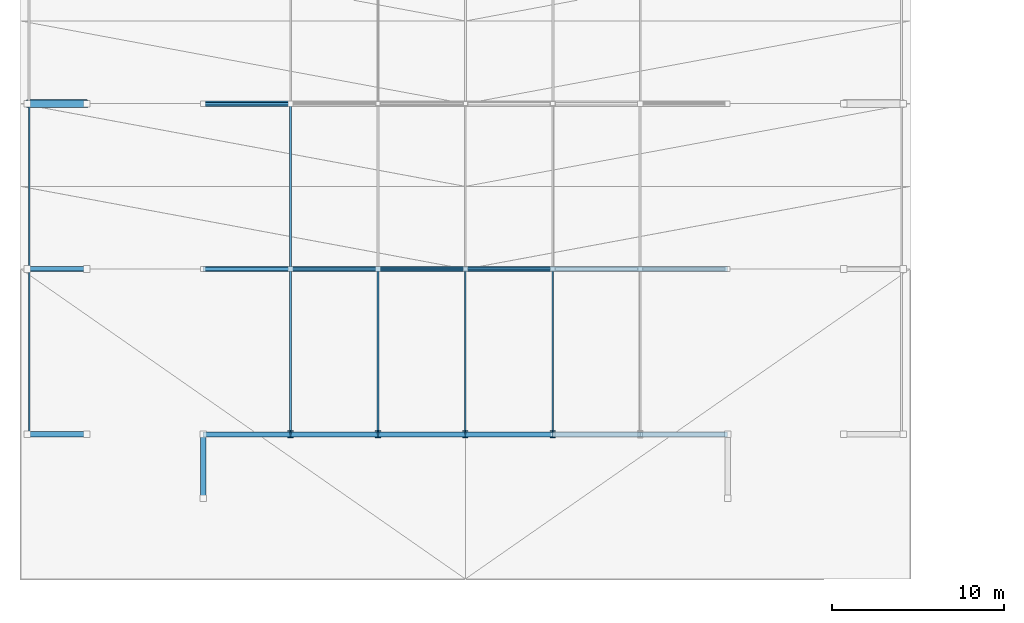
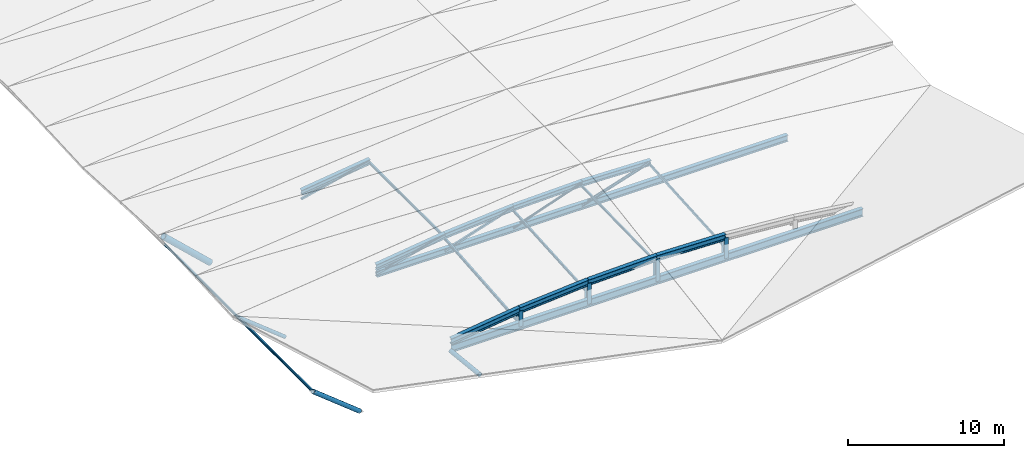
# One storey, part 4 of 16: 31 members.
"""IFC4 building model written with IfcOpenShell, lengths in metres."""

from ifc_helpers import new_model, si_unit, direction, frame, origin, origin_2d, place, context, subcontext, project, spatial, hollow_rectangle, hollow_circle, i_section, extrude, material, material_profile, profile_set, type_object, element, save


model = new_model("IFC4")

# Units and contexts
model_context = context("Model", 3, precision=1e-05, world=origin(), true_north=direction((0.0, 1.0)))
body_context = subcontext(model_context, "Body", "Model", "MODEL_VIEW")
ifc_project = project(units=[si_unit("LENGTHUNIT", "METRE"), si_unit("AREAUNIT", "SQUARE_METRE"), si_unit("VOLUMEUNIT", "CUBIC_METRE"), si_unit("PLANEANGLEUNIT", "RADIAN"), si_unit("MASSUNIT", "GRAM", prefix="KILO")], contexts=[model_context])

# Site, building, storey
site_placement = place(None, origin())
site = spatial("IfcSite", under=ifc_project, at=site_placement, CompositionType="ELEMENT")
building_placement = place(site_placement, origin())
building = spatial("IfcBuilding", under=site, at=building_placement, Name="Myrtia Square Station", CompositionType="ELEMENT")
storey_placement = place(building_placement, frame((0.0, 0.0, 22.800048828125)))
storey = spatial("IfcBuildingStorey", under=building, at=storey_placement, Name="RF", CompositionType="ELEMENT", Elevation=22.800048828125)

# Members
ifc_material = material(Name="Steel S355", Category="steel")
ifc_material_profile_1 = material_profile(ifc_material, hollow_circle(Radius=0.084228515625, WallThickness=0.010009765625, at=origin_2d()), Name="CHS 168.3x10")
ifc_profile_set_1 = profile_set([ifc_material_profile_1], Name="Steel S355")
member_type_1 = type_object("IfcMemberType", Name="BRC-CHS168", PredefinedType="BRACE", material=ifc_profile_set_1)
member_1_placement = place(storey_placement, frame((89.5, 38.39990234375, -1.449951171875), z_axis=(0.945372015012, 0.0, 0.325993486487), x_axis=(0.0, 1.0, 0.0)))
element("IfcMember", 1, at=member_1_placement, inside=storey, type_object=member_type_1, Name="Bowstring arch truss 02 web diagonal 3", PredefinedType="BRACE", context=body_context, shape_type="SweptSolid", body=[
    extrude(hollow_circle(Radius=0.084228515625, WallThickness=0.010009765625, at=origin_2d()), origin(), (0.0, 0.0, 1.0), 5.3681640625),
])
ifc_material_profile_2 = material_profile(ifc_material, hollow_circle(Radius=0.109619140625, WallThickness=0.012451171875, at=origin_2d()), Name="CHS 219.1x12.5")
ifc_profile_set_2 = profile_set([ifc_material_profile_2], Name="Steel S355")
member_type_2 = type_object("IfcMemberType", Name="BRC-CHS219", PredefinedType="BRACE", material=ifc_profile_set_2)
member_2_placement = place(storey_placement, frame((94.574951171875, 38.39990234375, -1.449951171875), z_axis=(0.952807116533, 0.0, 0.303576347371), x_axis=(0.0, 1.0, 0.0)))
element("IfcMember", 2, at=member_2_placement, inside=storey, type_object=member_type_2, Name="Bowstring arch truss 02 web diagonal 4", PredefinedType="BRACE", context=body_context, shape_type="SweptSolid", body=[
    extrude(hollow_circle(Radius=0.109619140625, WallThickness=0.012451171875, at=origin_2d()), origin(), (0.0, 0.0, 1.0), 5.326416015625),
])
ifc_material_profile_3 = material_profile(ifc_material, hollow_rectangle(XDim=0.14990234375, YDim=0.14990234375, WallThickness=0.010009765625, InnerFilletRadius=0.010009765625, OuterFilletRadius=0.02001953125, at=origin_2d()), Name="SHS 150x150x10")
ifc_profile_set_3 = profile_set([ifc_material_profile_3], Name="Steel S355")
member_type_3 = type_object("IfcMemberType", Name="BRC-SHS150", PredefinedType="BRACE", material=ifc_profile_set_3)
member_3_placement = place(storey_placement, frame((84.425048828125, 38.39990234375, -1.449951171875), z_axis=(0.952807116533, 0.0, 0.303576347371), x_axis=(0.0, 1.0, 0.0)))
element("IfcMember", 3, at=member_3_placement, inside=storey, type_object=member_type_3, Name="Bowstring arch truss 02 web diagonal 2", PredefinedType="BRACE", context=body_context, shape_type="SweptSolid", body=[
    extrude(hollow_rectangle(XDim=0.14990234375, YDim=0.14990234375, WallThickness=0.010009765625, InnerFilletRadius=0.010009765625, OuterFilletRadius=0.02001953125, at=origin_2d()), origin(), (0.0, 0.0, 1.0), 5.326416015625),
])
member_4_placement = place(storey_placement, frame((79.35009765625, 48.0, -1.449951171875), z_axis=(0.972439084039, 0.0, 0.233157088317), x_axis=(0.0, 1.0, 0.0)))
element("IfcMember", 4, at=member_4_placement, inside=storey, type_object=member_type_3, Name="Bowstring arch truss 03 web diagonal 1", PredefinedType="BRACE", context=body_context, shape_type="SweptSolid", body=[
    extrude(hollow_rectangle(XDim=0.14990234375, YDim=0.14990234375, WallThickness=0.010009765625, InnerFilletRadius=0.010009765625, OuterFilletRadius=0.02001953125, at=origin_2d()), origin(), (0.0, 0.0, 1.0), 5.21875),
])
ifc_material_profile_4 = material_profile(ifc_material, hollow_rectangle(XDim=0.179931640625, YDim=0.179931640625, WallThickness=0.012451171875, InnerFilletRadius=0.012451171875, OuterFilletRadius=0.02490234375, at=origin_2d()), Name="SHS 180x180x12.5")
ifc_profile_set_4 = profile_set([ifc_material_profile_4], Name="Steel S355")
member_type_4 = type_object("IfcMemberType", Name="BRC-SHS180", PredefinedType="BRACE", material=ifc_profile_set_4)
member_5_placement = place(storey_placement, frame((79.35009765625, 38.39990234375, -1.449951171875), z_axis=(0.972439084039, 0.0, 0.233157088317), x_axis=(0.0, 1.0, 0.0)))
element("IfcMember", 5, at=member_5_placement, inside=storey, type_object=member_type_4, Name="Bowstring arch truss 02 web diagonal 1", PredefinedType="BRACE", context=body_context, shape_type="SweptSolid", body=[
    extrude(hollow_rectangle(XDim=0.179931640625, YDim=0.179931640625, WallThickness=0.012451171875, InnerFilletRadius=0.012451171875, OuterFilletRadius=0.02490234375, at=origin_2d()), origin(), (0.0, 0.0, 1.0), 5.21875),
])
ifc_material_profile_5 = material_profile(ifc_material, i_section(OverallWidth=0.300048828125, OverallDepth=0.39990234375, WebThickness=0.013427734375, FlangeThickness=0.02392578125, FilletRadius=0.027099609375, at=origin_2d()), Name="HEB 400")
ifc_profile_set_5 = profile_set([ifc_material_profile_5], Name="Steel S355")
member_type_5 = type_object("IfcMemberType", Name="CHD-HEB400", PredefinedType="CHORD", material=ifc_profile_set_5)
member_6_placement = place(storey_placement, frame((84.425048828125, 28.800048828125, -1.449951171875), z_axis=(0.0, 0.0, 1.0), x_axis=(1.0, 0.0, 0.0)))
element("IfcMember", 6, at=member_6_placement, inside=storey, type_object=member_type_5, Name="Bowstring arch truss 01 vertical hanger 1", PredefinedType="CHORD", context=body_context, shape_type="SweptSolid", body=[
    extrude(i_section(OverallWidth=0.300048828125, OverallDepth=0.39990234375, WebThickness=0.013427734375, FlangeThickness=0.02392578125, FilletRadius=0.027099609375, at=origin_2d()), origin(), (0.0, 0.0, 1.0), 1.216796875),
])
member_7_placement = place(storey_placement, frame((89.5, 28.800048828125, -1.449951171875), z_axis=(0.0, 0.0, 1.0), x_axis=(1.0, 0.0, 0.0)))
element("IfcMember", 7, at=member_7_placement, inside=storey, type_object=member_type_5, Name="Bowstring arch truss 01 vertical hanger 2", PredefinedType="CHORD", context=body_context, shape_type="SweptSolid", body=[
    extrude(i_section(OverallWidth=0.300048828125, OverallDepth=0.39990234375, WebThickness=0.013427734375, FlangeThickness=0.02392578125, FilletRadius=0.027099609375, at=origin_2d()), origin(), (0.0, 0.0, 1.0), 1.616943359375),
])
member_8_placement = place(storey_placement, frame((94.574951171875, 28.800048828125, -1.449951171875), z_axis=(0.0, 0.0, 1.0), x_axis=(1.0, 0.0, 0.0)))
element("IfcMember", 8, at=member_8_placement, inside=storey, type_object=member_type_5, Name="Bowstring arch truss 01 vertical hanger 3", PredefinedType="CHORD", context=body_context, shape_type="SweptSolid", body=[
    extrude(i_section(OverallWidth=0.300048828125, OverallDepth=0.39990234375, WebThickness=0.013427734375, FlangeThickness=0.02392578125, FilletRadius=0.027099609375, at=origin_2d()), origin(), (0.0, 0.0, 1.0), 1.75),
])
member_9_placement = place(storey_placement, frame((99.64990234375, 28.800048828125, -1.449951171875), z_axis=(0.0, 0.0, 1.0), x_axis=(1.0, 0.0, 0.0)))
element("IfcMember", 9, at=member_9_placement, inside=storey, type_object=member_type_5, Name="Bowstring arch truss 01 vertical hanger 4", PredefinedType="CHORD", context=body_context, shape_type="SweptSolid", body=[
    extrude(i_section(OverallWidth=0.300048828125, OverallDepth=0.39990234375, WebThickness=0.013427734375, FlangeThickness=0.02392578125, FilletRadius=0.027099609375, at=origin_2d()), origin(), (0.0, 0.0, 1.0), 1.616943359375),
])
member_10_placement = place(storey_placement, frame((79.35009765625, 38.39990234375, -0.900146484375), z_axis=(0.991473603665, 0.0, 0.130307686786), x_axis=(0.0, 1.0, 0.0)))
element("IfcMember", 10, at=member_10_placement, inside=storey, type_object=member_type_5, Name="Bowstring arch truss 02 arch chord 1", PredefinedType="CHORD", context=body_context, shape_type="SweptSolid", body=[
    extrude(i_section(OverallWidth=0.300048828125, OverallDepth=0.39990234375, WebThickness=0.013427734375, FlangeThickness=0.02392578125, FilletRadius=0.027099609375, at=origin_2d()), origin(), (0.0, 0.0, 1.0), 5.11865234375),
])
member_11_placement = place(storey_placement, frame((84.425048828125, 38.39990234375, -0.233154296875), z_axis=(0.996905966221, 0.0, 0.078603400136), x_axis=(0.0, 1.0, 0.0)))
element("IfcMember", 11, at=member_11_placement, inside=storey, type_object=member_type_5, Name="Bowstring arch truss 02 arch chord 2", PredefinedType="CHORD", context=body_context, shape_type="SweptSolid", body=[
    extrude(i_section(OverallWidth=0.300048828125, OverallDepth=0.39990234375, WebThickness=0.013427734375, FlangeThickness=0.02392578125, FilletRadius=0.027099609375, at=origin_2d()), origin(), (0.0, 0.0, 1.0), 5.0908203125),
])
for number, where, z_axis, x_axis, name in (
    (12, (89.5, 38.39990234375, 0.1669921875), (0.999656477216, 0.0, 0.026209302934), (0.0, 1.0, 0.0), "Bowstring arch truss 02 arch chord 3"),
    (13, (94.574951171875, 38.39990234375, 0.300048828125), (0.999656477216, 0.0, -0.026209302934), (0.0, 1.0, 0.0), "Bowstring arch truss 02 arch chord 4"),
):
    element("IfcMember", number, at=place(storey_placement, frame(where, z_axis=z_axis, x_axis=x_axis)), inside=storey, type_object=member_type_5, Name=name, PredefinedType="CHORD", context=body_context, shape_type="SweptSolid", body=[
        extrude(i_section(OverallWidth=0.300048828125, OverallDepth=0.39990234375, WebThickness=0.013427734375, FlangeThickness=0.02392578125, FilletRadius=0.027099609375, at=origin_2d()), origin(), (0.0, 0.0, 1.0), 5.07666015625),
    ])
member_12_placement = place(storey_placement, frame((79.35009765625, 48.0, -0.900146484375), z_axis=(0.991473603665, 0.0, 0.130307686786), x_axis=(0.0, 1.0, 0.0)))
element("IfcMember", 14, at=member_12_placement, inside=storey, type_object=member_type_5, Name="Bowstring arch truss 03 arch chord 1", PredefinedType="CHORD", context=body_context, shape_type="SweptSolid", body=[
    extrude(i_section(OverallWidth=0.300048828125, OverallDepth=0.39990234375, WebThickness=0.013427734375, FlangeThickness=0.02392578125, FilletRadius=0.027099609375, at=origin_2d()), origin(), (0.0, 0.0, 1.0), 5.11865234375),
])
ifc_material_profile_6 = material_profile(ifc_material, i_section(OverallWidth=0.300048828125, OverallDepth=0.449951171875, WebThickness=0.013916015625, FlangeThickness=0.02587890625, FilletRadius=0.027099609375, at=origin_2d()), Name="HEB 450")
ifc_profile_set_6 = profile_set([ifc_material_profile_6], Name="Steel S355")
member_type_6 = type_object("IfcMemberType", Name="CHD-HEB450", PredefinedType="CHORD", material=ifc_profile_set_6)
member_13_placement = place(storey_placement, frame((79.35009765625, 28.800048828125, -0.900146484375), z_axis=(0.991473603665, 0.0, 0.130307686786), x_axis=(0.0, 1.0, 0.0)))
element("IfcMember", 15, at=member_13_placement, inside=storey, type_object=member_type_6, Name="Bowstring arch truss 01 arch chord 1", PredefinedType="CHORD", context=body_context, shape_type="SweptSolid", body=[
    extrude(i_section(OverallWidth=0.300048828125, OverallDepth=0.449951171875, WebThickness=0.013916015625, FlangeThickness=0.02587890625, FilletRadius=0.027099609375, at=origin_2d()), origin(), (0.0, 0.0, 1.0), 5.11865234375),
])
member_14_placement = place(storey_placement, frame((84.425048828125, 28.800048828125, -0.233154296875), z_axis=(0.996905966221, 0.0, 0.078603400136), x_axis=(0.0, 1.0, 0.0)))
element("IfcMember", 16, at=member_14_placement, inside=storey, type_object=member_type_6, Name="Bowstring arch truss 01 arch chord 2", PredefinedType="CHORD", context=body_context, shape_type="SweptSolid", body=[
    extrude(i_section(OverallWidth=0.300048828125, OverallDepth=0.449951171875, WebThickness=0.013916015625, FlangeThickness=0.02587890625, FilletRadius=0.027099609375, at=origin_2d()), origin(), (0.0, 0.0, 1.0), 5.0908203125),
])
for number, where, z_axis, x_axis, name in (
    (17, (89.5, 28.800048828125, 0.1669921875), (0.999656477216, 0.0, 0.026209302934), (0.0, 1.0, 0.0), "Bowstring arch truss 01 arch chord 3"),
    (18, (94.574951171875, 28.800048828125, 0.300048828125), (0.999656477216, 0.0, -0.026209302934), (0.0, 1.0, 0.0), "Bowstring arch truss 01 arch chord 4"),
):
    element("IfcMember", number, at=place(storey_placement, frame(where, z_axis=z_axis, x_axis=x_axis)), inside=storey, type_object=member_type_6, Name=name, PredefinedType="CHORD", context=body_context, shape_type="SweptSolid", body=[
        extrude(i_section(OverallWidth=0.300048828125, OverallDepth=0.449951171875, WebThickness=0.013916015625, FlangeThickness=0.02587890625, FilletRadius=0.027099609375, at=origin_2d()), origin(), (0.0, 0.0, 1.0), 5.07666015625),
    ])
ifc_material_profile_7 = material_profile(ifc_material, i_section(OverallWidth=0.300048828125, OverallDepth=0.5, WebThickness=0.014404296875, FlangeThickness=0.028076171875, FilletRadius=0.027099609375, at=origin_2d()), Name="HEB 500")
ifc_profile_set_7 = profile_set([ifc_material_profile_7], Name="Steel S355")
member_type_7 = type_object("IfcMemberType", Name="CHD-HEB500", PredefinedType="CHORD", material=ifc_profile_set_7)
member_15_placement = place(storey_placement, frame((79.35009765625, 38.39990234375, -1.449951171875), z_axis=(1.0, 0.0, 0.0), x_axis=(0.0, 1.0, 0.0)))
element("IfcMember", 19, at=member_15_placement, inside=storey, type_object=member_type_7, Name="Bowstring arch truss 02 tie chord", PredefinedType="CHORD", context=body_context, shape_type="SweptSolid", body=[
    extrude(i_section(OverallWidth=0.300048828125, OverallDepth=0.5, WebThickness=0.014404296875, FlangeThickness=0.028076171875, FilletRadius=0.027099609375, at=origin_2d()), origin(), (0.0, 0.0, 1.0), 30.449951171875),
])
ifc_material_profile_8 = material_profile(ifc_material, i_section(OverallWidth=0.300048828125, OverallDepth=0.60009765625, WebThickness=0.015380859375, FlangeThickness=0.030029296875, FilletRadius=0.027099609375, at=origin_2d()), Name="HEB 600")
ifc_profile_set_8 = profile_set([ifc_material_profile_8], Name="Steel S355")
member_type_8 = type_object("IfcMemberType", Name="CHD-HEB600", PredefinedType="CHORD", material=ifc_profile_set_8)
member_16_placement = place(storey_placement, frame((79.35009765625, 28.800048828125, -1.449951171875), z_axis=(1.0, 0.0, 0.0), x_axis=(0.0, 1.0, 0.0)))
element("IfcMember", 20, at=member_16_placement, inside=storey, type_object=member_type_8, Name="Bowstring arch truss 01 tie chord", PredefinedType="CHORD", context=body_context, shape_type="SweptSolid", body=[
    extrude(i_section(OverallWidth=0.300048828125, OverallDepth=0.60009765625, WebThickness=0.015380859375, FlangeThickness=0.030029296875, FilletRadius=0.027099609375, at=origin_2d()), origin(), (0.0, 0.0, 1.0), 30.449951171875),
])
ifc_material_profile_9 = material_profile(ifc_material, i_section(OverallWidth=0.091064453125, OverallDepth=0.179931640625, WebThickness=0.00537109375, FlangeThickness=0.008056640625, FilletRadius=0.009033203125, at=origin_2d()), Name="IPE 180")
ifc_profile_set_9 = profile_set([ifc_material_profile_9], Name="Steel S355")
member_type_9 = type_object("IfcMemberType", Name="PUR-IPE180", PredefinedType="PURLIN", material=ifc_profile_set_9)
member_17_placement = place(storey_placement, frame((94.574951171875, 28.800048828125, -0.1318359375), z_axis=(0.0, 0.999800273421, 0.019985326286), x_axis=(-1.0, 0.0, 0.0)))
element("IfcMember", 21, at=member_17_placement, inside=storey, type_object=member_type_9, Name="Folded roof purlin PUR-RF-0003", PredefinedType="PURLIN", context=body_context, shape_type="SweptSolid", body=[
    extrude(i_section(OverallWidth=0.091064453125, OverallDepth=0.179931640625, WebThickness=0.00537109375, FlangeThickness=0.008056640625, FilletRadius=0.009033203125, at=origin_2d()), origin(), (0.0, 0.0, 1.0), 9.601806640625),
])
member_18_placement = place(storey_placement, frame((69.25, 38.39990234375, -1.4599609375), z_axis=(0.0, 1.0, 0.0), x_axis=(-1.0, 0.0, 0.0)))
element("IfcMember", 22, at=member_18_placement, inside=storey, type_object=member_type_9, Name="Overhang eave purlin PUR-RF-0014", PredefinedType="PURLIN", context=body_context, shape_type="SweptSolid", body=[
    extrude(i_section(OverallWidth=0.091064453125, OverallDepth=0.179931640625, WebThickness=0.00537109375, FlangeThickness=0.008056640625, FilletRadius=0.009033203125, at=origin_2d()), origin(), (0.0, 0.0, 1.0), 9.60009765625),
])
ifc_material_profile_10 = material_profile(ifc_material, i_section(OverallWidth=0.10009765625, OverallDepth=0.199951171875, WebThickness=0.005615234375, FlangeThickness=0.008544921875, FilletRadius=0.011962890625, at=origin_2d()), Name="IPE 200")
ifc_profile_set_10 = profile_set([ifc_material_profile_10], Name="Steel S355")
member_type_10 = type_object("IfcMemberType", Name="PUR-IPE200", PredefinedType="PURLIN", material=ifc_profile_set_10)
member_19_placement = place(storey_placement, frame((89.5, 28.800048828125, -0.711669921875), z_axis=(0.0, 0.997795923794, 0.066357324095), x_axis=(-1.0, 0.0, 0.0)))
element("IfcMember", 23, at=member_19_placement, inside=storey, type_object=member_type_10, Name="Folded roof purlin PUR-RF-0002", PredefinedType="PURLIN", context=body_context, shape_type="SweptSolid", body=[
    extrude(i_section(OverallWidth=0.10009765625, OverallDepth=0.199951171875, WebThickness=0.005615234375, FlangeThickness=0.008544921875, FilletRadius=0.011962890625, at=origin_2d()), origin(), (0.0, 0.0, 1.0), 9.62109375),
])
member_20_placement = place(storey_placement, frame((69.25, 28.800048828125, -1.4599609375), z_axis=(0.0, 1.0, 0.0), x_axis=(-1.0, 0.0, 0.0)))
element("IfcMember", 24, at=member_20_placement, inside=storey, type_object=member_type_10, Name="Overhang eave purlin PUR-RF-0006", PredefinedType="PURLIN", context=body_context, shape_type="SweptSolid", body=[
    extrude(i_section(OverallWidth=0.10009765625, OverallDepth=0.199951171875, WebThickness=0.005615234375, FlangeThickness=0.008544921875, FilletRadius=0.011962890625, at=origin_2d()), origin(), (0.0, 0.0, 1.0), 9.599853515625),
])
member_21_placement = place(storey_placement, frame((84.425048828125, 38.39990234375, -0.393310546875), z_axis=(0.0, 1.0, 0.0), x_axis=(-1.0, 0.0, 0.0)))
element("IfcMember", 25, at=member_21_placement, inside=storey, type_object=member_type_10, Name="Folded roof purlin PUR-RF-0009", PredefinedType="PURLIN", context=body_context, shape_type="SweptSolid", body=[
    extrude(i_section(OverallWidth=0.10009765625, OverallDepth=0.199951171875, WebThickness=0.005615234375, FlangeThickness=0.008544921875, FilletRadius=0.011962890625, at=origin_2d()), origin(), (0.0, 0.0, 1.0), 9.60009765625),
])
ifc_material_profile_11 = material_profile(ifc_material, i_section(OverallWidth=0.110107421875, OverallDepth=0.219970703125, WebThickness=0.005859375, FlangeThickness=0.00927734375, FilletRadius=0.011962890625, at=origin_2d()), Name="IPE 220")
ifc_profile_set_11 = profile_set([ifc_material_profile_11], Name="Steel S355")
member_type_11 = type_object("IfcMemberType", Name="PUR-IPE220", PredefinedType="PURLIN", material=ifc_profile_set_11)
member_22_placement = place(storey_placement, frame((84.425048828125, 28.800048828125, -1.29150390625), z_axis=(0.0, 0.996388297513, 0.084913842094), x_axis=(-1.0, 0.0, 0.0)))
element("IfcMember", 26, at=member_22_placement, inside=storey, type_object=member_type_11, Name="Folded roof purlin PUR-RF-0001", PredefinedType="PURLIN", context=body_context, shape_type="SweptSolid", body=[
    extrude(i_section(OverallWidth=0.110107421875, OverallDepth=0.219970703125, WebThickness=0.005859375, FlangeThickness=0.00927734375, FilletRadius=0.011962890625, at=origin_2d()), origin(), (0.0, 0.0, 1.0), 9.634765625),
])
ifc_material_profile_12 = material_profile(ifc_material, hollow_rectangle(XDim=0.10009765625, YDim=0.199951171875, WallThickness=0.008056640625, InnerFilletRadius=0.008056640625, OuterFilletRadius=0.01611328125, at=origin_2d()), Name="RHS 200x100x8")
ifc_profile_set_12 = profile_set([ifc_material_profile_12], Name="Steel S355")
member_type_12 = type_object("IfcMemberType", Name="PUR-RHS200", PredefinedType="PURLIN", material=ifc_profile_set_12)
member_23_placement = place(storey_placement, frame((99.64990234375, 28.800048828125, -0.711669921875), z_axis=(0.0, 0.997795923794, 0.066357324095), x_axis=(-1.0, 0.0, 0.0)))
element("IfcMember", 27, at=member_23_placement, inside=storey, type_object=member_type_12, Name="Folded roof purlin PUR-RF-0004", PredefinedType="PURLIN", context=body_context, shape_type="SweptSolid", body=[
    extrude(hollow_rectangle(XDim=0.10009765625, YDim=0.199951171875, WallThickness=0.008056640625, InnerFilletRadius=0.008056640625, OuterFilletRadius=0.01611328125, at=origin_2d()), origin(), (0.0, 0.0, 1.0), 9.62109375),
])
ifc_material_profile_13 = material_profile(ifc_material, hollow_circle(Radius=0.136474609375, WallThickness=0.01611328125, at=origin_2d()), Name="CHS 273x16")
ifc_profile_set_13 = profile_set([ifc_material_profile_13], Name="Steel S355")
member_type_13 = type_object("IfcMemberType", Name="STR-CHS273", PredefinedType="STRUT", material=ifc_profile_set_13)
member_24_placement = place(storey_placement, frame((72.60009765625, 38.39990234375, -4.050048828125), z_axis=(-0.782529927903, 0.0, 0.622612971224), x_axis=(0.0, -1.0, 0.0)))
element("IfcMember", 28, at=member_24_placement, inside=storey, type_object=member_type_13, Name="Folded roof overhang raking strut STR-UP-004", PredefinedType="STRUT", context=body_context, shape_type="SweptSolid", body=[
    extrude(hollow_circle(Radius=0.136474609375, WallThickness=0.01611328125, at=origin_2d()), origin(), (0.0, 0.0, 1.0), 4.408935546875),
])
ifc_material_profile_14 = material_profile(ifc_material, hollow_circle(Radius=0.161865234375, WallThickness=0.01611328125, at=origin_2d()), Name="CHS 323.9x16")
ifc_profile_set_14 = profile_set([ifc_material_profile_14], Name="Steel S355")
member_type_14 = type_object("IfcMemberType", Name="STR-CHS323", PredefinedType="STRUT", material=ifc_profile_set_14)
member_25_placement = place(storey_placement, frame((72.60009765625, 28.800048828125, -4.050048828125), z_axis=(-0.782529927903, 0.0, 0.622612971224), x_axis=(0.0, -1.0, 0.0)))
element("IfcMember", 29, at=member_25_placement, inside=storey, type_object=member_type_14, Name="Folded roof overhang raking strut STR-UP-001", PredefinedType="STRUT", context=body_context, shape_type="SweptSolid", body=[
    extrude(hollow_circle(Radius=0.161865234375, WallThickness=0.01611328125, at=origin_2d()), origin(), (0.0, 0.0, 1.0), 4.408935546875),
])
member_26_placement = place(storey_placement, frame((79.35009765625, 28.800048828125, -1.699951171875), z_axis=(0.0, -0.99434904685, 0.106160129185), x_axis=(1.0, 0.0, 0.0)))
element("IfcMember", 30, at=member_26_placement, inside=storey, type_object=member_type_14, Name="Gable upper overhang raking strut STR-UP-GAB-029", PredefinedType="STRUT", context=body_context, shape_type="SweptSolid", body=[
    extrude(hollow_circle(Radius=0.161865234375, WallThickness=0.01611328125, at=origin_2d()), origin(), (0.0, 0.0, 1.0), 3.720947265625),
])
ifc_material_profile_15 = material_profile(ifc_material, hollow_circle(Radius=0.228515625, WallThickness=0.02490234375, at=origin_2d()), Name="CHS 457x25")
ifc_profile_set_15 = profile_set([ifc_material_profile_15], Name="Steel S355")
member_type_15 = type_object("IfcMemberType", Name="STR-CHS457", PredefinedType="STRUT", material=ifc_profile_set_15)
member_27_placement = place(storey_placement, frame((72.60009765625, 48.0, -4.050048828125), z_axis=(-0.728423911392, 0.0, 0.685126707488), x_axis=(0.0, -1.0, 0.0)))
element("IfcMember", 31, at=member_27_placement, inside=storey, type_object=member_type_15, Name="Folded roof overhang raking strut STR-UP-007", PredefinedType="STRUT", context=body_context, shape_type="SweptSolid", body=[
    extrude(hollow_circle(Radius=0.228515625, WallThickness=0.02490234375, at=origin_2d()), origin(), (0.0, 0.0, 1.0), 4.736572265625),
])

save(model, "model.ifc")
